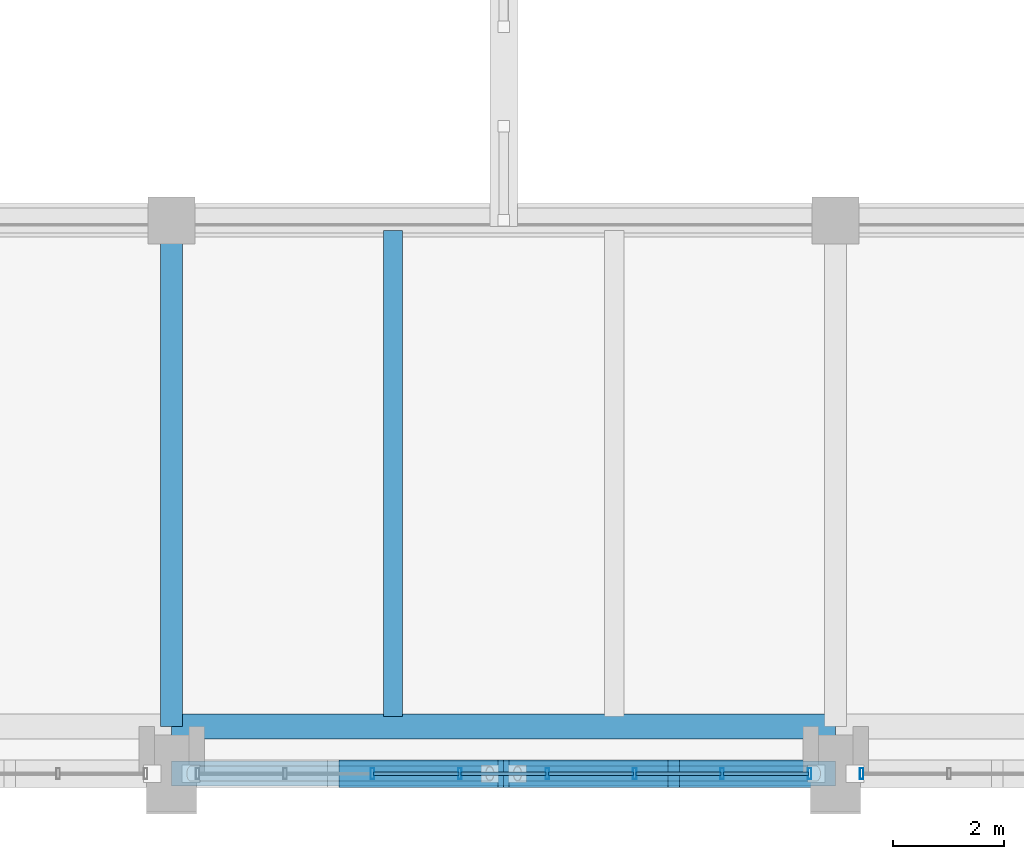
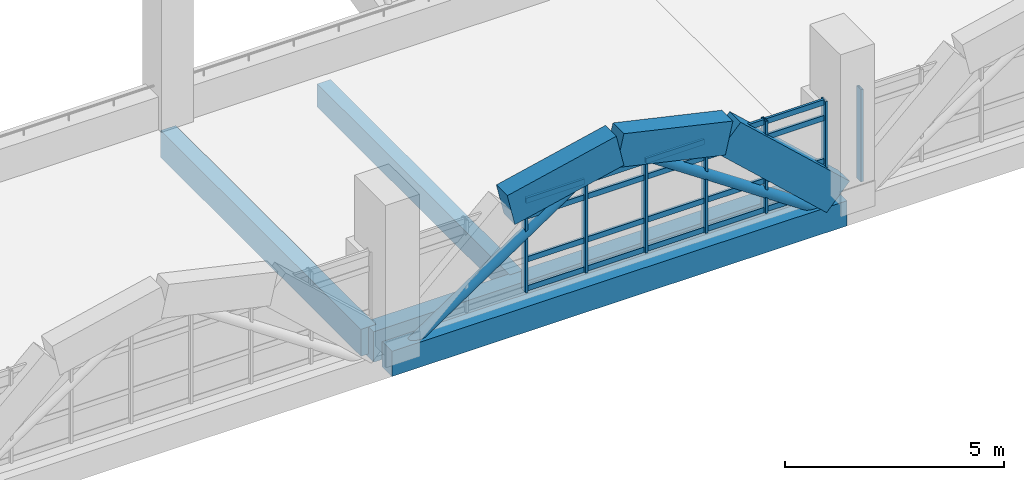
# One storey, part 22 of 161: 29 members, 7 beams, 2 elements without a shape of their own.
"""IFC4 building model written with IfcOpenShell, lengths in metres."""

from ifc_helpers import new_model, si_unit, direction, frame, origin, origin_2d, place, context, subcontext, project, spatial, rectangle, hollow_rectangle, hollow_circle, extrude, material, layer, layer_set, material_profile, profile_set, type_object, element, aggregate, save


model = new_model("IFC4")

# Units and contexts
model_context = context("Model", 3, precision=1e-05, world=origin(), true_north=direction((0.0, 1.0)))
body_context = subcontext(model_context, "Body", "Model", "MODEL_VIEW")
ifc_project = project(units=[si_unit("LENGTHUNIT", "METRE"), si_unit("AREAUNIT", "SQUARE_METRE"), si_unit("VOLUMEUNIT", "CUBIC_METRE"), si_unit("PLANEANGLEUNIT", "RADIAN"), si_unit("MASSUNIT", "GRAM", prefix="KILO")], contexts=[model_context])

# Site, building, storey
site_placement = place(None, origin())
site = spatial("IfcSite", under=ifc_project, at=site_placement, CompositionType="ELEMENT")
building_placement = place(site_placement, origin())
building = spatial("IfcBuilding", under=site, at=building_placement, Name="Mersad Railyard Sports Hall", CompositionType="ELEMENT")
storey_placement = place(building_placement, frame((0.0, 0.0, 4.800048828125)))
storey = spatial("IfcBuildingStorey", under=building, at=storey_placement, Name="L01", CompositionType="ELEMENT", Elevation=4.800048828125)

# Curtain wall, members
ifc_material_1 = material(Name="Aluminium 6063-T6", Category="aluminium")
ifc_layer = layer(ifc_material_1, 0.199951171875)
ifc_layer_set = layer_set([ifc_layer], Name="Aluminium 6063-T6")
curtain_wall_type = type_object("IfcCurtainWallType", Name="ARC-CW-CW02", PredefinedType="USERDEFINED", material=ifc_layer_set)
curtain_wall_1_placement = place(storey_placement, origin())
curtain_wall_1 = element("IfcCurtainWall", 1, at=curtain_wall_1_placement, inside=storey, type_object=curtain_wall_type, Name="Curtain wall CW02-0015", ObjectType="CURTAIN WALL", PredefinedType="USERDEFINED")
ifc_material_profile_1 = material_profile(ifc_material_1, hollow_rectangle(XDim=0.06494140625, YDim=0.199951171875, WallThickness=0.0048828125, at=origin_2d()), Name="AL MULLION 65x200x5")
ifc_profile_set_1 = profile_set([ifc_material_profile_1], Name="Aluminium 6063-T6")
member_type_1 = type_object("IfcMemberType", Name="ARC-CW-MUL02", PredefinedType="MULLION", material=ifc_profile_set_1)
member_1_placement = place(storey_placement, frame((66.530029296875, 3.5, -0.02001953125), z_axis=(0.0, 0.0, 1.0), x_axis=(1.0, 0.0, 0.0)))
member_1 = element("IfcMember", 2, at=member_1_placement, type_object=member_type_1, Name="CW02 Mullion 1", PredefinedType="MULLION", context=body_context, shape_type="SweptSolid", body=[
    extrude(hollow_rectangle(XDim=0.06494140625, YDim=0.199951171875, WallThickness=0.0048828125, at=origin_2d()), origin(), (0.0, 0.0, 1.0), 2.570068359375),
])
member_2_placement = place(storey_placement, frame((64.949951171875, 3.5, -0.02001953125), z_axis=(0.0, 0.0, 1.0), x_axis=(1.0, 0.0, 0.0)))
member_2 = element("IfcMember", 3, at=member_2_placement, type_object=member_type_1, Name="CW02 Mullion 2", PredefinedType="MULLION", context=body_context, shape_type="SweptSolid", body=[
    extrude(hollow_rectangle(XDim=0.06494140625, YDim=0.199951171875, WallThickness=0.0048828125, at=origin_2d()), origin(), (0.0, 0.0, 1.0), 2.570068359375),
])
member_3_placement = place(storey_placement, frame((63.3701171875, 3.5, -0.02001953125), z_axis=(0.0, 0.0, 1.0), x_axis=(1.0, 0.0, 0.0)))
member_3 = element("IfcMember", 4, at=member_3_placement, type_object=member_type_1, Name="CW02 Mullion 3", PredefinedType="MULLION", context=body_context, shape_type="SweptSolid", body=[
    extrude(hollow_rectangle(XDim=0.06494140625, YDim=0.199951171875, WallThickness=0.0048828125, at=origin_2d()), origin(), (0.0, 0.0, 1.0), 2.570068359375),
])
member_4_placement = place(storey_placement, frame((61.7900390625, 3.5, -0.02001953125), z_axis=(0.0, 0.0, 1.0), x_axis=(1.0, 0.0, 0.0)))
member_4 = element("IfcMember", 5, at=member_4_placement, type_object=member_type_1, Name="CW02 Mullion 4", PredefinedType="MULLION", context=body_context, shape_type="SweptSolid", body=[
    extrude(hollow_rectangle(XDim=0.06494140625, YDim=0.199951171875, WallThickness=0.0048828125, at=origin_2d()), origin(), (0.0, 0.0, 1.0), 2.570068359375),
])
member_5_placement = place(storey_placement, frame((60.2099609375, 3.5, -0.02001953125), z_axis=(0.0, 0.0, 1.0), x_axis=(1.0, 0.0, 0.0)))
member_5 = element("IfcMember", 6, at=member_5_placement, type_object=member_type_1, Name="CW02 Mullion 5", PredefinedType="MULLION", context=body_context, shape_type="SweptSolid", body=[
    extrude(hollow_rectangle(XDim=0.06494140625, YDim=0.199951171875, WallThickness=0.0048828125, at=origin_2d()), origin(), (0.0, 0.0, 1.0), 2.570068359375),
])
member_6_placement = place(storey_placement, frame((58.6298828125, 3.5, -0.02001953125), z_axis=(0.0, 0.0, 1.0), x_axis=(1.0, 0.0, 0.0)))
member_6 = element("IfcMember", 7, at=member_6_placement, type_object=member_type_1, Name="CW02 Mullion 6", PredefinedType="MULLION", context=body_context, shape_type="SweptSolid", body=[
    extrude(hollow_rectangle(XDim=0.06494140625, YDim=0.199951171875, WallThickness=0.0048828125, at=origin_2d()), origin(), (0.0, 0.0, 1.0), 2.570068359375),
])

# Curtain wall, member
curtain_wall_2_placement = place(storey_placement, origin())
curtain_wall_2 = element("IfcCurtainWall", 8, at=curtain_wall_2_placement, inside=storey, type_object=curtain_wall_type, Name="Curtain wall CW02-0017", ObjectType="CURTAIN WALL", PredefinedType="USERDEFINED")
member_7_placement = place(storey_placement, frame((67.469970703125, 3.5, -0.02001953125), z_axis=(0.0, 0.0, 1.0), x_axis=(1.0, 0.0, 0.0)))
member_7 = element("IfcMember", 9, at=member_7_placement, type_object=member_type_1, Name="CW02 Mullion 8", PredefinedType="MULLION", context=body_context, shape_type="SweptSolid", body=[
    extrude(hollow_rectangle(XDim=0.06494140625, YDim=0.199951171875, WallThickness=0.0048828125, at=origin_2d()), origin(), (0.0, 0.0, 1.0), 2.570068359375),
])
aggregate(curtain_wall_2, [member_7])

# Member
ifc_material_profile_2 = material_profile(ifc_material_1, hollow_rectangle(XDim=0.06494140625, YDim=0.14990234375, WallThickness=0.00439453125, at=origin_2d()), Name="AL TRANSOM 65x150x4.5")
ifc_profile_set_2 = profile_set([ifc_material_profile_2], Name="Aluminium 6063-T6")
member_type_2 = type_object("IfcMemberType", Name="ARC-CW-TRN02", PredefinedType="USERDEFINED", material=ifc_profile_set_2)
member_8_placement = place(storey_placement, frame((66.510009765625, 3.5, 0.0400390625), z_axis=(-1.0, 0.0, 0.0), x_axis=(0.0, -1.0, 0.0)))
member_8 = element("IfcMember", 10, at=member_8_placement, type_object=member_type_2, Name="CW02 Transom 1-1", ObjectType="TRANSOM", PredefinedType="USERDEFINED", context=body_context, shape_type="SweptSolid", body=[
    extrude(hollow_rectangle(XDim=0.06494140625, YDim=0.14990234375, WallThickness=0.00439453125, at=origin_2d()), origin(), (0.0, 0.0, 1.0), 1.5400390625),
])

member_9_placement = place(storey_placement, frame((64.929931640625, 3.5, 0.0400390625), z_axis=(-1.0, 0.0, 0.0), x_axis=(0.0, -1.0, 0.0)))
member_9 = element("IfcMember", 11, at=member_9_placement, type_object=member_type_2, Name="CW02 Transom 1-2", ObjectType="TRANSOM", PredefinedType="USERDEFINED", context=body_context, shape_type="SweptSolid", body=[
    extrude(hollow_rectangle(XDim=0.06494140625, YDim=0.14990234375, WallThickness=0.00439453125, at=origin_2d()), origin(), (0.0, 0.0, 1.0), 1.5400390625),
])

member_10_placement = place(storey_placement, frame((63.35009765625, 3.5, 0.0400390625), z_axis=(-1.0, 0.0, 0.0), x_axis=(0.0, -1.0, 0.0)))
member_10 = element("IfcMember", 12, at=member_10_placement, type_object=member_type_2, Name="CW02 Transom 1-3", ObjectType="TRANSOM", PredefinedType="USERDEFINED", context=body_context, shape_type="SweptSolid", body=[
    extrude(hollow_rectangle(XDim=0.06494140625, YDim=0.14990234375, WallThickness=0.00439453125, at=origin_2d()), origin(), (0.0, 0.0, 1.0), 1.5400390625),
])

member_11_placement = place(storey_placement, frame((61.77001953125, 3.5, 0.0400390625), z_axis=(-1.0, 0.0, 0.0), x_axis=(0.0, -1.0, 0.0)))
member_11 = element("IfcMember", 13, at=member_11_placement, type_object=member_type_2, Name="CW02 Transom 1-4", ObjectType="TRANSOM", PredefinedType="USERDEFINED", context=body_context, shape_type="SweptSolid", body=[
    extrude(hollow_rectangle(XDim=0.06494140625, YDim=0.14990234375, WallThickness=0.00439453125, at=origin_2d()), origin(), (0.0, 0.0, 1.0), 1.5400390625),
])

member_12_placement = place(storey_placement, frame((60.18994140625, 3.5, 0.0400390625), z_axis=(-1.0, 0.0, 0.0), x_axis=(0.0, -1.0, 0.0)))
member_12 = element("IfcMember", 14, at=member_12_placement, type_object=member_type_2, Name="CW02 Transom 1-5", ObjectType="TRANSOM", PredefinedType="USERDEFINED", context=body_context, shape_type="SweptSolid", body=[
    extrude(hollow_rectangle(XDim=0.06494140625, YDim=0.14990234375, WallThickness=0.00439453125, at=origin_2d()), origin(), (0.0, 0.0, 1.0), 1.5400390625),
])

member_13_placement = place(storey_placement, frame((66.510009765625, 3.5, 0.849853515625), z_axis=(-1.0, 0.0, 0.0), x_axis=(0.0, -1.0, 0.0)))
member_13 = element("IfcMember", 15, at=member_13_placement, type_object=member_type_2, Name="CW02 Transom 2-1", ObjectType="TRANSOM", PredefinedType="USERDEFINED", context=body_context, shape_type="SweptSolid", body=[
    extrude(hollow_rectangle(XDim=0.06494140625, YDim=0.14990234375, WallThickness=0.00439453125, at=origin_2d()), origin(), (0.0, 0.0, 1.0), 1.5400390625),
])

member_14_placement = place(storey_placement, frame((64.929931640625, 3.5, 0.849853515625), z_axis=(-1.0, 0.0, 0.0), x_axis=(0.0, -1.0, 0.0)))
member_14 = element("IfcMember", 16, at=member_14_placement, type_object=member_type_2, Name="CW02 Transom 2-2", ObjectType="TRANSOM", PredefinedType="USERDEFINED", context=body_context, shape_type="SweptSolid", body=[
    extrude(hollow_rectangle(XDim=0.06494140625, YDim=0.14990234375, WallThickness=0.00439453125, at=origin_2d()), origin(), (0.0, 0.0, 1.0), 1.5400390625),
])

member_15_placement = place(storey_placement, frame((63.35009765625, 3.5, 0.849853515625), z_axis=(-1.0, 0.0, 0.0), x_axis=(0.0, -1.0, 0.0)))
member_15 = element("IfcMember", 17, at=member_15_placement, type_object=member_type_2, Name="CW02 Transom 2-3", ObjectType="TRANSOM", PredefinedType="USERDEFINED", context=body_context, shape_type="SweptSolid", body=[
    extrude(hollow_rectangle(XDim=0.06494140625, YDim=0.14990234375, WallThickness=0.00439453125, at=origin_2d()), origin(), (0.0, 0.0, 1.0), 1.5400390625),
])

member_16_placement = place(storey_placement, frame((61.77001953125, 3.5, 0.849853515625), z_axis=(-1.0, 0.0, 0.0), x_axis=(0.0, -1.0, 0.0)))
member_16 = element("IfcMember", 18, at=member_16_placement, type_object=member_type_2, Name="CW02 Transom 2-4", ObjectType="TRANSOM", PredefinedType="USERDEFINED", context=body_context, shape_type="SweptSolid", body=[
    extrude(hollow_rectangle(XDim=0.06494140625, YDim=0.14990234375, WallThickness=0.00439453125, at=origin_2d()), origin(), (0.0, 0.0, 1.0), 1.5400390625),
])

member_17_placement = place(storey_placement, frame((60.18994140625, 3.5, 0.849853515625), z_axis=(-1.0, 0.0, 0.0), x_axis=(0.0, -1.0, 0.0)))
member_17 = element("IfcMember", 19, at=member_17_placement, type_object=member_type_2, Name="CW02 Transom 2-5", ObjectType="TRANSOM", PredefinedType="USERDEFINED", context=body_context, shape_type="SweptSolid", body=[
    extrude(hollow_rectangle(XDim=0.06494140625, YDim=0.14990234375, WallThickness=0.00439453125, at=origin_2d()), origin(), (0.0, 0.0, 1.0), 1.5400390625),
])

member_18_placement = place(storey_placement, frame((66.510009765625, 3.5, 2.050048828125), z_axis=(-1.0, 0.0, 0.0), x_axis=(0.0, -1.0, 0.0)))
member_18 = element("IfcMember", 20, at=member_18_placement, type_object=member_type_2, Name="CW02 Transom 3-1", ObjectType="TRANSOM", PredefinedType="USERDEFINED", context=body_context, shape_type="SweptSolid", body=[
    extrude(hollow_rectangle(XDim=0.06494140625, YDim=0.14990234375, WallThickness=0.00439453125, at=origin_2d()), origin(), (0.0, 0.0, 1.0), 1.5400390625),
])

member_19_placement = place(storey_placement, frame((64.929931640625, 3.5, 2.050048828125), z_axis=(-1.0, 0.0, 0.0), x_axis=(0.0, -1.0, 0.0)))
member_19 = element("IfcMember", 21, at=member_19_placement, type_object=member_type_2, Name="CW02 Transom 3-2", ObjectType="TRANSOM", PredefinedType="USERDEFINED", context=body_context, shape_type="SweptSolid", body=[
    extrude(hollow_rectangle(XDim=0.06494140625, YDim=0.14990234375, WallThickness=0.00439453125, at=origin_2d()), origin(), (0.0, 0.0, 1.0), 1.5400390625),
])

member_20_placement = place(storey_placement, frame((63.35009765625, 3.5, 2.050048828125), z_axis=(-1.0, 0.0, 0.0), x_axis=(0.0, -1.0, 0.0)))
member_20 = element("IfcMember", 22, at=member_20_placement, type_object=member_type_2, Name="CW02 Transom 3-3", ObjectType="TRANSOM", PredefinedType="USERDEFINED", context=body_context, shape_type="SweptSolid", body=[
    extrude(hollow_rectangle(XDim=0.06494140625, YDim=0.14990234375, WallThickness=0.00439453125, at=origin_2d()), origin(), (0.0, 0.0, 1.0), 1.5400390625),
])

member_21_placement = place(storey_placement, frame((61.77001953125, 3.5, 2.050048828125), z_axis=(-1.0, 0.0, 0.0), x_axis=(0.0, -1.0, 0.0)))
member_21 = element("IfcMember", 23, at=member_21_placement, type_object=member_type_2, Name="CW02 Transom 3-4", ObjectType="TRANSOM", PredefinedType="USERDEFINED", context=body_context, shape_type="SweptSolid", body=[
    extrude(hollow_rectangle(XDim=0.06494140625, YDim=0.14990234375, WallThickness=0.00439453125, at=origin_2d()), origin(), (0.0, 0.0, 1.0), 1.5400390625),
])

member_22_placement = place(storey_placement, frame((60.18994140625, 3.5, 2.050048828125), z_axis=(-1.0, 0.0, 0.0), x_axis=(0.0, -1.0, 0.0)))
member_22 = element("IfcMember", 24, at=member_22_placement, type_object=member_type_2, Name="CW02 Transom 3-5", ObjectType="TRANSOM", PredefinedType="USERDEFINED", context=body_context, shape_type="SweptSolid", body=[
    extrude(hollow_rectangle(XDim=0.06494140625, YDim=0.14990234375, WallThickness=0.00439453125, at=origin_2d()), origin(), (0.0, 0.0, 1.0), 1.5400390625),
])

member_23_placement = place(storey_placement, frame((66.510009765625, 3.5, 2.489990234375), z_axis=(-1.0, 0.0, 0.0), x_axis=(0.0, -1.0, 0.0)))
member_23 = element("IfcMember", 25, at=member_23_placement, type_object=member_type_2, Name="CW02 Transom 4-1", ObjectType="TRANSOM", PredefinedType="USERDEFINED", context=body_context, shape_type="SweptSolid", body=[
    extrude(hollow_rectangle(XDim=0.06494140625, YDim=0.14990234375, WallThickness=0.00439453125, at=origin_2d()), origin(), (0.0, 0.0, 1.0), 1.5400390625),
])

member_24_placement = place(storey_placement, frame((64.929931640625, 3.5, 2.489990234375), z_axis=(-1.0, 0.0, 0.0), x_axis=(0.0, -1.0, 0.0)))
member_24 = element("IfcMember", 26, at=member_24_placement, type_object=member_type_2, Name="CW02 Transom 4-2", ObjectType="TRANSOM", PredefinedType="USERDEFINED", context=body_context, shape_type="SweptSolid", body=[
    extrude(hollow_rectangle(XDim=0.06494140625, YDim=0.14990234375, WallThickness=0.00439453125, at=origin_2d()), origin(), (0.0, 0.0, 1.0), 1.5400390625),
])

member_25_placement = place(storey_placement, frame((63.35009765625, 3.5, 2.489990234375), z_axis=(-1.0, 0.0, 0.0), x_axis=(0.0, -1.0, 0.0)))
member_25 = element("IfcMember", 27, at=member_25_placement, type_object=member_type_2, Name="CW02 Transom 4-3", ObjectType="TRANSOM", PredefinedType="USERDEFINED", context=body_context, shape_type="SweptSolid", body=[
    extrude(hollow_rectangle(XDim=0.06494140625, YDim=0.14990234375, WallThickness=0.00439453125, at=origin_2d()), origin(), (0.0, 0.0, 1.0), 1.5400390625),
])

member_26_placement = place(storey_placement, frame((61.77001953125, 3.5, 2.489990234375), z_axis=(-1.0, 0.0, 0.0), x_axis=(0.0, -1.0, 0.0)))
member_26 = element("IfcMember", 28, at=member_26_placement, type_object=member_type_2, Name="CW02 Transom 4-4", ObjectType="TRANSOM", PredefinedType="USERDEFINED", context=body_context, shape_type="SweptSolid", body=[
    extrude(hollow_rectangle(XDim=0.06494140625, YDim=0.14990234375, WallThickness=0.00439453125, at=origin_2d()), origin(), (0.0, 0.0, 1.0), 1.5400390625),
])

member_27_placement = place(storey_placement, frame((60.18994140625, 3.5, 2.489990234375), z_axis=(-1.0, 0.0, 0.0), x_axis=(0.0, -1.0, 0.0)))
member_27 = element("IfcMember", 29, at=member_27_placement, type_object=member_type_2, Name="CW02 Transom 4-5", ObjectType="TRANSOM", PredefinedType="USERDEFINED", context=body_context, shape_type="SweptSolid", body=[
    extrude(hollow_rectangle(XDim=0.06494140625, YDim=0.14990234375, WallThickness=0.00439453125, at=origin_2d()), origin(), (0.0, 0.0, 1.0), 1.5400390625),
])

aggregate(curtain_wall_1, [member_1, member_2, member_3, member_4, member_5, member_6, member_8, member_9, member_10, member_11, member_12, member_13, member_14, member_15, member_16, member_17, member_18, member_19, member_20, member_21, member_22, member_23, member_24, member_25, member_26, member_27])

# Beams
ifc_material_2 = material(Name="Concrete C40/50", Category="concrete")
ifc_material_profile_3 = material_profile(ifc_material_2, rectangle(XDim=0.39990234375, YDim=0.75, at=origin_2d()), Name="RC 400x750")
ifc_profile_set_3 = profile_set([ifc_material_profile_3], Name="Concrete C40/50")
beam_type_1 = type_object("IfcBeamType", Name="STR-BM-B01", PredefinedType="BEAM", material=ifc_profile_set_3)
beam_1_placement = place(storey_placement, frame((55.0, 4.35009765625, -0.655029296875), z_axis=(0.0, 1.0, 0.0), x_axis=(-1.0, 0.0, 0.0)))
element("IfcBeam", 30, at=beam_1_placement, inside=storey, type_object=beam_type_1, Name="Beam B01-0297", PredefinedType="BEAM", context=body_context, shape_type="SweptSolid", body=[
    extrude(rectangle(XDim=0.39990234375, YDim=0.75, at=origin_2d()), origin(), (0.0, 0.0, 1.0), 9.14990234375),
])
ifc_material_profile_4 = material_profile(ifc_material_2, rectangle(XDim=0.449951171875, YDim=0.85009765625, at=origin_2d()), Name="RC 450x850")
ifc_profile_set_4 = profile_set([ifc_material_profile_4], Name="Concrete C40/50")
beam_type_2 = type_object("IfcBeamType", Name="STR-BM-B02", PredefinedType="BEAM", material=ifc_profile_set_4)
beam_2_placement = place(storey_placement, frame((55.0, 4.35009765625, -0.705078125), z_axis=(1.0, 0.0, 0.0), x_axis=(0.0, 1.0, 0.0)))
element("IfcBeam", 31, at=beam_2_placement, inside=storey, type_object=beam_type_2, Name="Beam B02-0287", PredefinedType="BEAM", context=body_context, shape_type="SweptSolid", body=[
    extrude(rectangle(XDim=0.449951171875, YDim=0.85009765625, at=origin_2d()), origin(), (0.0, 0.0, 1.0), 12.0),
])
ifc_material_profile_5 = material_profile(ifc_material_2, rectangle(XDim=0.35009765625, YDim=0.64990234375, at=origin_2d()), Name="RC 350x650")
ifc_profile_set_5 = profile_set([ifc_material_profile_5], Name="Concrete C40/50")
beam_type_3 = type_object("IfcBeamType", Name="STR-BM-J01", PredefinedType="JOIST", material=ifc_profile_set_5)
beam_3_placement = place(storey_placement, frame((59.0, 4.530029296875, -0.60498046875), z_axis=(0.0, 1.0, 0.0), x_axis=(-1.0, 0.0, 0.0)))
element("IfcBeam", 32, at=beam_3_placement, inside=storey, type_object=beam_type_3, Name="Beam J01-0400", PredefinedType="JOIST", context=body_context, shape_type="SweptSolid", body=[
    extrude(rectangle(XDim=0.35009765625, YDim=0.64990234375, at=origin_2d()), origin(), (0.0, 0.0, 1.0), 8.7900390625),
])
ifc_material_3 = material(Name="Architectural concrete C40/50", Category="concrete")
ifc_material_profile_6 = material_profile(ifc_material_3, rectangle(XDim=0.449951171875, YDim=0.699951171875, at=origin_2d()), Name="RC 450x700")
ifc_profile_set_6 = profile_set([ifc_material_profile_6], Name="Architectural concrete C40/50")
beam_type_4 = type_object("IfcBeamType", Name="STR-BM-SP01", PredefinedType="SPANDREL", material=ifc_profile_set_6)
beam_4_placement = place(storey_placement, frame((55.0, 3.5, -0.66015625), z_axis=(1.0, 0.0, 0.0), x_axis=(0.0, 1.0, 0.0)))
element("IfcBeam", 33, at=beam_4_placement, inside=storey, type_object=beam_type_4, Name="Beam SP01-0364", PredefinedType="SPANDREL", context=body_context, shape_type="SweptSolid", body=[
    extrude(rectangle(XDim=0.449951171875, YDim=0.699951171875, at=origin_2d()), origin(), (0.0, 0.0, 1.0), 12.0),
])
ifc_material_4 = material(Name="Architectural concrete C50/60", Category="concrete")
ifc_material_profile_7 = material_profile(ifc_material_4, rectangle(XDim=0.5, YDim=0.89990234375, at=origin_2d()), Name="VR 500x900")
ifc_profile_set_7 = profile_set([ifc_material_profile_7], Name="Architectural concrete C50/60")
beam_type_5 = type_object("IfcBeamType", Name="STR-BM-VR02", PredefinedType="BEAM", material=ifc_profile_set_7)
for number, where, z_axis, x_axis, name in (
    (34, (58.125, 3.5, 2.54736328125), (0.97519301708, 0.0, 0.221356227467), (0.0, 1.0, 0.0), "Beam VR02-0368"),
    (35, (61.0, 3.5, 3.199951171875), (0.97519301708, 0.0, -0.221356227467), (0.0, 1.0, 0.0), "Beam VR02-0370"),
):
    element("IfcBeam", number, at=place(storey_placement, frame(where, z_axis=z_axis, x_axis=x_axis)), inside=storey, type_object=beam_type_5, Name=name, PredefinedType="BEAM", context=body_context, shape_type="SweptSolid", body=[
        extrude(rectangle(XDim=0.5, YDim=0.89990234375, at=origin_2d()), origin(), (0.0, 0.0, 1.0), 2.9482421875),
    ])
beam_5_placement = place(storey_placement, frame((63.875, 3.5, 2.54736328125), z_axis=(0.735617187873, 0.0, -0.677397485164), x_axis=(0.0, 1.0, 0.0)))
element("IfcBeam", 36, at=beam_5_placement, inside=storey, type_object=beam_type_5, Name="Beam VR02-0372", PredefinedType="BEAM", context=body_context, shape_type="SweptSolid", body=[
    extrude(rectangle(XDim=0.5, YDim=0.89990234375, at=origin_2d()), origin(), (0.0, 0.0, 1.0), 3.908203125),
])

# Members
ifc_material_5 = material(Name="Steel S355", Category="steel")
ifc_material_profile_8 = material_profile(ifc_material_5, hollow_circle(Radius=0.136474609375, WallThickness=0.012451171875, at=origin_2d()), Name="CHS 273x12.5")
ifc_profile_set_8 = profile_set([ifc_material_profile_8], Name="Steel S355")
member_type_3 = type_object("IfcMemberType", Name="STR-MEM-BR02", PredefinedType="BRACE", material=ifc_profile_set_8)
for number, where, z_axis, x_axis, name in (
    (37, (55.35009765625, 3.5, -0.6201171875), (0.829190125257, 0.0, 0.558966668215), (0.0, 1.0, 0.0), "Structural member BR02-0017"),
    (38, (66.64990234375, 3.5, -0.6201171875), (-0.829190125257, 0.0, 0.558966668215), (0.0, -1.0, 0.0), "Structural member BR02-0018"),
):
    element("IfcMember", number, at=place(storey_placement, frame(where, z_axis=z_axis, x_axis=x_axis)), inside=storey, type_object=member_type_3, Name=name, PredefinedType="BRACE", context=body_context, shape_type="SweptSolid", body=[
        extrude(hollow_circle(Radius=0.136474609375, WallThickness=0.012451171875, at=origin_2d()), origin(), (0.0, 0.0, 1.0), 6.51220703125),
    ])

save(model, "model.ifc")
